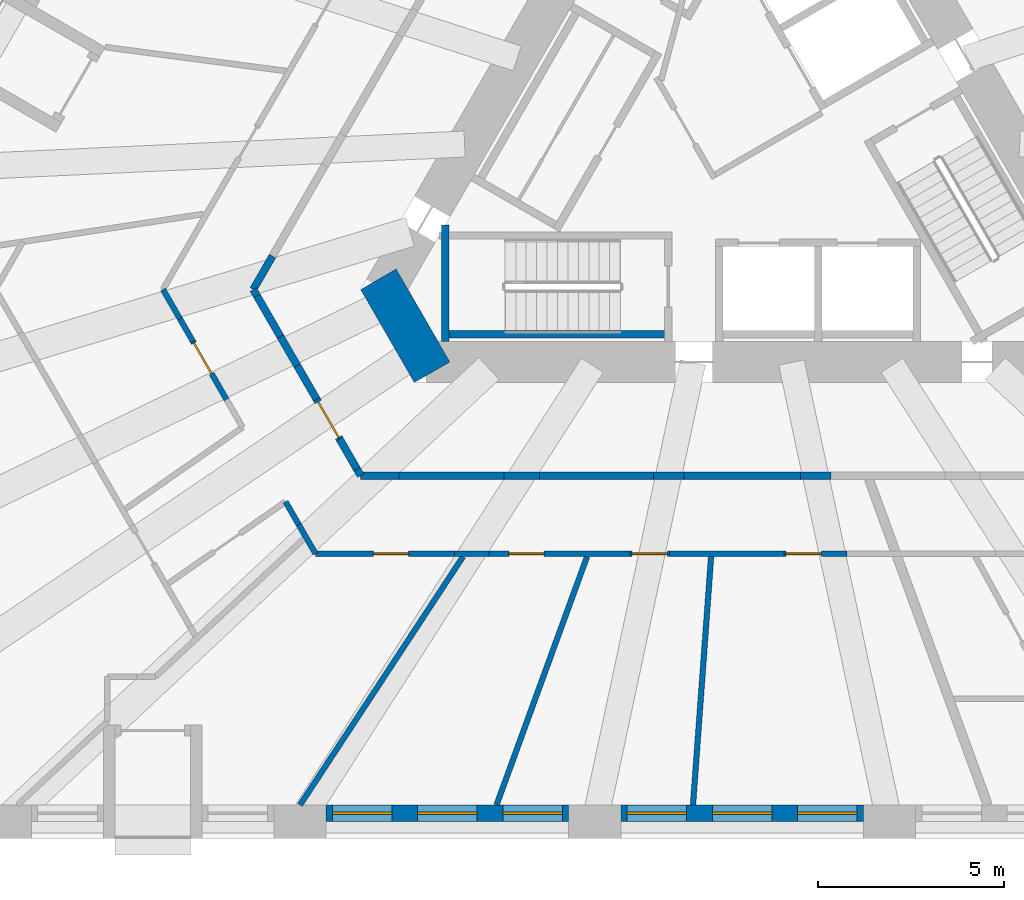
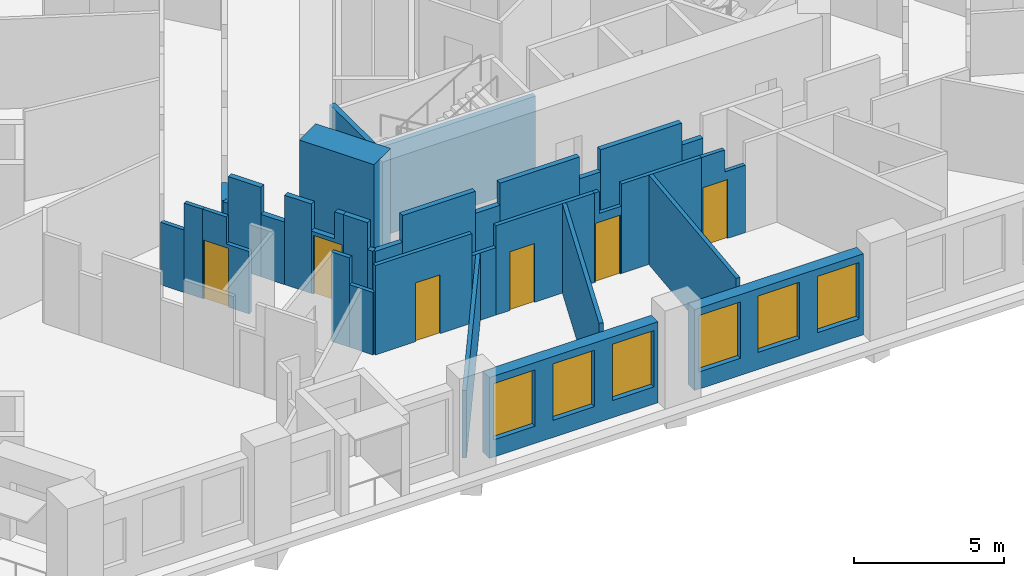
# One storey, part 3 of 14: 34 walls, 6 doors, 6 windows, 12 openings.
"""IFC4 building model written with IfcOpenShell, lengths in metres."""

from ifc_helpers import new_model, si_unit, direction, frame, frame_2d, origin, place, context, subcontext, project, spatial, polyline, rectangle, outline, extrude, material, layer, layer_set, type_object, element, fill, save


model = new_model("IFC4")

# Units and contexts
model_context = context("Model", 3, precision=1e-05, world=origin(), true_north=direction((0.0, 1.0)))
body_context = subcontext(model_context, "Body", "Model", "MODEL_VIEW")
ifc_project = project(units=[si_unit("LENGTHUNIT", "METRE"), si_unit("AREAUNIT", "SQUARE_METRE"), si_unit("VOLUMEUNIT", "CUBIC_METRE"), si_unit("PLANEANGLEUNIT", "RADIAN"), si_unit("MASSUNIT", "GRAM", prefix="KILO")], contexts=[model_context])

# Site, building, storey
site_placement = place(None, origin())
site = spatial("IfcSite", under=ifc_project, at=site_placement, CompositionType="ELEMENT")
building_placement = place(site_placement, origin())
building = spatial("IfcBuilding", under=site, at=building_placement, Name="Tramontana Tower", CompositionType="ELEMENT")
storey_placement = place(building_placement, frame((0.0, 0.0, 42.0)))
storey = spatial("IfcBuildingStorey", under=building, at=storey_placement, Name="L08", CompositionType="ELEMENT", Elevation=42.0)

# Walls
ifc_material_1 = material(Name="Concrete 70 MPa", Category="concrete")
ifc_layer_1 = layer(ifc_material_1, 1.10009765625)
ifc_layer_set_1 = layer_set([ifc_layer_1], Name="Core wall 1100 70 MPa")
wall_type_1 = type_object("IfcWallType", Name="Core wall 1100 70 MPa", PredefinedType="SHEAR", material=ifc_layer_set_1)
wall_1_placement = place(storey_placement, frame((-9.771728515625, -3.97509765625, 0.0), z_axis=(0.0, 0.0, 1.0), x_axis=(0.499995765644, -0.866027848477, 0.0)))
element("IfcWall", 1, at=wall_1_placement, inside=storey, type_object=wall_type_1, Name="Core wall C2 L08", PredefinedType="SHEAR", context=body_context, shape_type="SweptSolid", body=[
    extrude(rectangle(XDim=2.88671875, YDim=1.10009765625, at=frame_2d((1.443359375, 0.0))), origin(), (0.0, 0.0, 1.0), 4.0),
])
ifc_material_2 = material(Name="Blockwork", Category="masonry")
ifc_layer_2 = layer(ifc_material_2, 0.199951171875)
ifc_layer_set_2 = layer_set([ifc_layer_2], Name="ENTRY WALL 200")
wall_type_2 = type_object("IfcWallType", Name="ENTRY WALL 200", PredefinedType="SOLIDWALL", material=ifc_layer_set_2)
wall_2_placement = place(storey_placement, frame((2.383056640625, -9.25, 0.0), z_axis=(0.0, 0.0, 1.0), x_axis=(-1.0, 0.0, 0.0)))
element("IfcWall", 2, at=wall_2_placement, inside=storey, type_object=wall_type_2, Name="Wall v02-ew2-4", PredefinedType="SOLIDWALL", context=body_context, shape_type="SweptSolid", body=[
    extrude(rectangle(XDim=0.81787109375, YDim=0.199951171875, at=frame_2d((0.408935546875, 0.0))), origin(), (0.0, 0.0, 1.0), 2.75),
])
wall_3_placement = place(storey_placement, frame((1.565185546875, -9.25, 0.0), z_axis=(0.0, 0.0, 1.0), x_axis=(-1.0, 0.0, 0.0)))
element("IfcWall", 3, at=wall_3_placement, inside=storey, type_object=wall_type_2, Name="Wall v02-ew2-5", PredefinedType="SOLIDWALL", context=body_context, shape_type="SweptSolid", body=[
    extrude(rectangle(XDim=3.13037109375, YDim=0.199951171875, at=frame_2d((1.565185546875, 0.0))), origin(), (0.0, 0.0, 1.0), 3.64990234375),
])
wall_4_placement = place(storey_placement, frame((-1.565185546875, -9.25, 0.0), z_axis=(0.0, 0.0, 1.0), x_axis=(-1.0, 0.0, 0.0)))
element("IfcWall", 4, at=wall_4_placement, inside=storey, type_object=wall_type_2, Name="Wall v02-ew2-6", PredefinedType="SOLIDWALL", context=body_context, shape_type="SweptSolid", body=[
    extrude(rectangle(XDim=0.81787109375, YDim=0.199951171875, at=frame_2d((0.408935546875, 0.0))), origin(), (0.0, 0.0, 1.0), 2.75),
])
wall_5_placement = place(storey_placement, frame((-2.383056640625, -9.25, 0.0), z_axis=(0.0, 0.0, 1.0), x_axis=(-1.0, 0.0, 0.0)))
element("IfcWall", 5, at=wall_5_placement, inside=storey, type_object=wall_type_2, Name="Wall v02-ew2-7", PredefinedType="SOLIDWALL", context=body_context, shape_type="SweptSolid", body=[
    extrude(rectangle(XDim=3.064453125, YDim=0.199951171875, at=frame_2d((1.5322265625, 0.0))), origin(), (0.0, 0.0, 1.0), 3.64990234375),
])
wall_6_placement = place(storey_placement, frame((-5.447509765625, -9.25, 0.0), z_axis=(0.0, 0.0, 1.0), x_axis=(-1.0, 0.0, 0.0)))
element("IfcWall", 6, at=wall_6_placement, inside=storey, type_object=wall_type_2, Name="Wall v02-ew2-8", PredefinedType="SOLIDWALL", context=body_context, shape_type="SweptSolid", body=[
    extrude(rectangle(XDim=0.949951171875, YDim=0.199951171875, at=frame_2d((0.47509765625, 0.0))), origin(), (0.0, 0.0, 1.0), 2.75),
])
wall_7_placement = place(storey_placement, frame((-6.3974609375, -9.25, 0.0), z_axis=(0.0, 0.0, 1.0), x_axis=(-1.0, 0.0, 0.0)))
element("IfcWall", 7, at=wall_7_placement, inside=storey, type_object=wall_type_2, Name="Wall v02-ew2-9", PredefinedType="SOLIDWALL", context=body_context, shape_type="SweptSolid", body=[
    extrude(rectangle(XDim=2.815185546875, YDim=0.199951171875, at=frame_2d((1.40771484375, 0.0))), origin(), (0.0, 0.0, 1.0), 3.64990234375),
])
wall_8_placement = place(storey_placement, frame((-9.212646484375, -9.25, 0.0), z_axis=(0.0, 0.0, 1.0), x_axis=(-1.0, 0.0, 0.0)))
element("IfcWall", 8, at=wall_8_placement, inside=storey, type_object=wall_type_2, Name="Wall v02-ew2-10", PredefinedType="SOLIDWALL", context=body_context, shape_type="SweptSolid", body=[
    extrude(rectangle(XDim=1.035400390625, YDim=0.199951171875, at=frame_2d((0.517578125, 0.0))), origin(), (0.0, 0.0, 1.0), 2.550048828125),
])
wall_9_placement = place(storey_placement, frame((-10.248046875, -9.25, 0.0), z_axis=(0.0, 0.0, 1.0), x_axis=(-0.499865263774, 0.866103179807, 0.0)))
element("IfcWall", 9, at=wall_9_placement, inside=storey, type_object=wall_type_2, Name="Wall v02-ew3-0", PredefinedType="SOLIDWALL", context=body_context, shape_type="SweptSolid", body=[
    extrude(rectangle(XDim=0.197265625, YDim=0.199951171875, at=frame_2d((0.0986328125, 0.0))), origin(), (0.0, 0.0, 1.0), 2.550048828125),
])
wall_10_placement = place(storey_placement, frame((-10.3466796875, -9.0791015625, 0.0), z_axis=(0.0, 0.0, 1.0), x_axis=(-0.499925626596, 0.866068339032, 0.0)))
element("IfcWall", 10, at=wall_10_placement, inside=storey, type_object=wall_type_2, Name="Wall v02-ew3-1", PredefinedType="SOLIDWALL", context=body_context, shape_type="SweptSolid", body=[
    extrude(rectangle(XDim=0.936279296875, YDim=0.199951171875, at=frame_2d((0.46826171875, 0.0))), origin(), (0.0, 0.0, 1.0), 3.64990234375),
])

# Wall, opening, door
wall_11_placement = place(storey_placement, frame((-11.43115234375, -7.20068359375, 0.0), z_axis=(0.0, 0.0, 1.0), x_axis=(0.500036725936, -0.866004199017, 0.0)))
wall_11 = element("IfcWall", 11, at=wall_11_placement, inside=storey, type_object=wall_type_2, Name="Wall v02-ew3-2", PredefinedType="SOLIDWALL", context=body_context, shape_type="SweptSolid", body=[
    extrude(outline(polyline([(0.0, 0.0), (1.23291015625, 0.0), (1.23291015625, 3.64990234375), (0.90234375, 3.64990234375), (0.90234375, 2.550048828125), (0.0, 2.550048828125), (0.0, 0.0)])), frame((0.0, 0.10009765625, 0.0), z_axis=(0.0, -1.0, 0.0), x_axis=(1.0, 0.0, 0.0)), (0.0, 0.0, 1.0), 0.199951171875),
])
opening_1_placement = place(wall_11_placement, frame((0.082763671875, 0.0, 0.0)))
opening_1 = element("IfcOpeningElement", 12, at=opening_1_placement, cuts=wall_11, Name="Opening B0C-28", PredefinedType="OPENING", context=body_context, shape_type="SweptSolid", body=[
    extrude(rectangle(XDim=1.10009765625, YDim=2.39990234375, at=frame_2d((0.550048828125, 1.199951171875))), frame((0.0, 0.10986328125, 0.0), z_axis=(0.0, -1.0, 0.0), x_axis=(1.0, 0.0, 0.0)), (0.0, 0.0, 1.0), 0.219970703125),
])
ifc_material_3 = material(Name="Painted timber", Category="wood")
door_type_1 = type_object("IfcDoorType", Name="DOOR ENTRY 1100", OperationType="SINGLE_SWING_LEFT", PredefinedType="DOOR", material=ifc_material_3)
door_1_placement = place(opening_1_placement, origin())
door_1 = element("IfcDoor", 13, at=door_1_placement, inside=storey, type_object=door_type_1, Name="Door B0C-28", OperationType="SINGLE_SWING_RIGHT", OverallHeight=2.39990234375, OverallWidth=1.10009765625, PredefinedType="DOOR", context=body_context, shape_type="SweptSolid", body=[
    extrude(rectangle(XDim=1.10009765625, YDim=2.39990234375, at=frame_2d((0.550048828125, 1.199951171875))), frame((0.0, 0.02490234375, 0.0), z_axis=(0.0, -1.0, 0.0), x_axis=(1.0, 0.0, 0.0)), (0.0, 0.0, 1.0), 0.050048828125),
])
fill(opening_1, door_1)

# Walls
wall_12_placement = place(storey_placement, frame((-11.43115234375, -7.20068359375, 0.0), z_axis=(0.0, 0.0, 1.0), x_axis=(-0.499898446243, 0.866084027935, 0.0)))
element("IfcWall", 14, at=wall_12_placement, inside=storey, type_object=wall_type_2, Name="Wall v02-ew3-3", PredefinedType="SOLIDWALL", context=body_context, shape_type="SweptSolid", body=[
    extrude(rectangle(XDim=1.040771484375, YDim=0.199951171875, at=frame_2d((0.5205078125, 0.0))), origin(), (0.0, 0.0, 1.0), 3.64990234375),
])
wall_13_placement = place(storey_placement, frame((-11.951416015625, -6.29931640625, 0.0), z_axis=(0.0, 0.0, 1.0), x_axis=(-0.500097243556, 0.865969252911, 0.0)))
element("IfcWall", 15, at=wall_13_placement, inside=storey, type_object=wall_type_2, Name="Wall v02-ew3-4", PredefinedType="SOLIDWALL", context=body_context, shape_type="SweptSolid", body=[
    extrude(rectangle(XDim=0.902099609375, YDim=0.199951171875, at=frame_2d((0.451171875, 0.0))), origin(), (0.0, 0.0, 1.0), 2.550048828125),
])
wall_14_placement = place(storey_placement, frame((-12.402587890625, -5.51806640625, 0.0), z_axis=(0.0, 0.0, 1.0), x_axis=(-0.500056058743, 0.865993035835, 0.0)))
element("IfcWall", 16, at=wall_14_placement, inside=storey, type_object=wall_type_2, Name="Wall v02-ew3-5", PredefinedType="SOLIDWALL", context=body_context, shape_type="SweptSolid", body=[
    extrude(rectangle(XDim=1.266845703125, YDim=0.199951171875, at=frame_2d((0.63330078125, 0.0))), origin(), (0.0, 0.0, 1.0), 3.64990234375),
])
wall_15_placement = place(storey_placement, frame((-13.0361328125, -4.4208984375, 0.0), z_axis=(0.0, 0.0, 1.0), x_axis=(-0.499865263774, 0.866103179807, 0.0)))
element("IfcWall", 17, at=wall_15_placement, inside=storey, type_object=wall_type_2, Name="Wall v02-ew3-6", PredefinedType="SOLIDWALL", context=body_context, shape_type="SweptSolid", body=[
    extrude(rectangle(XDim=0.197265625, YDim=0.199951171875, at=frame_2d((0.0986328125, 0.0))), origin(), (0.0, 0.0, 1.0), 2.550048828125),
])
wall_16_placement = place(storey_placement, frame((-13.134765625, -4.25, 0.0), z_axis=(0.0, 0.0, 1.0), x_axis=(0.500171514983, 0.865926356915, 0.0)))
element("IfcWall", 18, at=wall_16_placement, inside=storey, type_object=wall_type_2, Name="Wall v02-ew4-0", PredefinedType="SOLIDWALL", context=body_context, shape_type="SweptSolid", body=[
    extrude(rectangle(XDim=1.035400390625, YDim=0.199951171875, at=frame_2d((0.517578125, 0.0))), origin(), (0.0, 0.0, 1.0), 2.550048828125),
])

# Wall, openings, windows
ifc_material_4 = material(Name="Precast concrete 60 MPa", Category="concrete")
ifc_layer_3 = layer(ifc_material_4, 0.449951171875)
ifc_layer_set_3 = layer_set([ifc_layer_3], Name="Precast concrete 60 MPa, 450 mm")
wall_type_3 = type_object("IfcWallType", Name="EW1 Stone-faced precast wall 450", PredefinedType="SOLIDWALL", material=ifc_layer_set_3)
wall_17_placement = place(storey_placement, frame((-11.177001953125, -18.324951171875, 0.0), z_axis=(0.0, 0.0, 1.0), x_axis=(1.0, 0.0, 0.0)))
wall_17 = element("IfcWall", 19, at=wall_17_placement, inside=storey, type_object=wall_type_3, Name="External wall L08 face 1 bay 3", PredefinedType="SOLIDWALL", context=body_context, shape_type="SweptSolid", body=[
    extrude(rectangle(XDim=6.51806640625, YDim=0.449951171875, at=frame_2d((3.259033203125, 0.0))), origin(), (0.0, 0.0, 1.0), 3.300048828125),
])
opening_2_placement = place(wall_17_placement, frame((0.169677734375, 0.0, 0.699951171875)))
opening_2 = element("IfcOpeningElement", 20, at=opening_2_placement, cuts=wall_17, Name="Opening M1", PredefinedType="OPENING", context=body_context, shape_type="SweptSolid", body=[
    extrude(rectangle(XDim=1.60009765625, YDim=2.300048828125, at=frame_2d((0.800048828125, 1.14990234375))), frame((0.0, 0.23486328125, 0.0), z_axis=(0.0, -1.0, 0.0), x_axis=(1.0, 0.0, 0.0)), (0.0, 0.0, 1.0), 0.469970703125),
])
opening_3_placement = place(wall_17_placement, frame((2.458984375, 0.0, 0.699951171875)))
opening_3 = element("IfcOpeningElement", 21, at=opening_3_placement, cuts=wall_17, Name="Opening M1", PredefinedType="OPENING", context=body_context, shape_type="SweptSolid", body=[
    extrude(rectangle(XDim=1.60009765625, YDim=2.300048828125, at=frame_2d((0.800048828125, 1.14990234375))), frame((0.0, 0.23486328125, 0.0), z_axis=(0.0, -1.0, 0.0), x_axis=(1.0, 0.0, 0.0)), (0.0, 0.0, 1.0), 0.469970703125),
])
opening_4_placement = place(wall_17_placement, frame((4.748291015625, 0.0, 0.699951171875)))
opening_4 = element("IfcOpeningElement", 22, at=opening_4_placement, cuts=wall_17, Name="Opening M1", PredefinedType="OPENING", context=body_context, shape_type="SweptSolid", body=[
    extrude(rectangle(XDim=1.60009765625, YDim=2.300048828125, at=frame_2d((0.800048828125, 1.14990234375))), frame((0.0, 0.23486328125, 0.0), z_axis=(0.0, -1.0, 0.0), x_axis=(1.0, 0.0, 0.0)), (0.0, 0.0, 1.0), 0.469970703125),
])
ifc_material_5 = material(Name="Aluminum frame, double glazing unit", Category="aluminium")
window_type = type_object("IfcWindowType", Name="M1 Window 1.6 x 2.3", PartitioningType="SINGLE_PANEL", PredefinedType="WINDOW", material=ifc_material_5)
window_1_placement = place(opening_2_placement, origin())
window_1 = element("IfcWindow", 23, at=window_1_placement, inside=storey, type_object=window_type, Name="Window M1 L08 face 1 module 7", OverallHeight=2.300048828125, OverallWidth=1.60009765625, PartitioningType="SINGLE_PANEL", PredefinedType="WINDOW", context=body_context, shape_type="SweptSolid", body=[
    extrude(rectangle(XDim=1.60009765625, YDim=2.300048828125, at=frame_2d((0.800048828125, 1.14990234375))), frame((0.0, 0.030029296875, 0.0), z_axis=(0.0, -1.0, 0.0), x_axis=(1.0, 0.0, 0.0)), (0.0, 0.0, 1.0), 0.06005859375),
])
fill(opening_2, window_1)
window_2_placement = place(opening_3_placement, origin())
window_2 = element("IfcWindow", 24, at=window_2_placement, inside=storey, type_object=window_type, Name="Window M1 L08 face 1 module 8", OverallHeight=2.300048828125, OverallWidth=1.60009765625, PartitioningType="SINGLE_PANEL", PredefinedType="WINDOW", context=body_context, shape_type="SweptSolid", body=[
    extrude(rectangle(XDim=1.60009765625, YDim=2.300048828125, at=frame_2d((0.800048828125, 1.14990234375))), frame((0.0, 0.030029296875, 0.0), z_axis=(0.0, -1.0, 0.0), x_axis=(1.0, 0.0, 0.0)), (0.0, 0.0, 1.0), 0.06005859375),
])
fill(opening_3, window_2)
window_3_placement = place(opening_4_placement, origin())
window_3 = element("IfcWindow", 25, at=window_3_placement, inside=storey, type_object=window_type, Name="Window M1 L08 face 1 module 9", OverallHeight=2.300048828125, OverallWidth=1.60009765625, PartitioningType="SINGLE_PANEL", PredefinedType="WINDOW", context=body_context, shape_type="SweptSolid", body=[
    extrude(rectangle(XDim=1.60009765625, YDim=2.300048828125, at=frame_2d((0.800048828125, 1.14990234375))), frame((0.0, 0.030029296875, 0.0), z_axis=(0.0, -1.0, 0.0), x_axis=(1.0, 0.0, 0.0)), (0.0, 0.0, 1.0), 0.06005859375),
])
fill(opening_4, window_3)

wall_18_placement = place(storey_placement, frame((-3.259033203125, -18.324951171875, 0.0), z_axis=(0.0, 0.0, 1.0), x_axis=(1.0, 0.0, 0.0)))
wall_18 = element("IfcWall", 26, at=wall_18_placement, inside=storey, type_object=wall_type_3, Name="External wall L08 face 1 bay 4", PredefinedType="SOLIDWALL", context=body_context, shape_type="SweptSolid", body=[
    extrude(rectangle(XDim=6.51806640625, YDim=0.449951171875, at=frame_2d((3.259033203125, 0.0))), origin(), (0.0, 0.0, 1.0), 3.300048828125),
])
opening_5_placement = place(wall_18_placement, frame((0.169677734375, 0.0, 0.699951171875)))
opening_5 = element("IfcOpeningElement", 27, at=opening_5_placement, cuts=wall_18, Name="Opening M1", PredefinedType="OPENING", context=body_context, shape_type="SweptSolid", body=[
    extrude(rectangle(XDim=1.60009765625, YDim=2.300048828125, at=frame_2d((0.800048828125, 1.14990234375))), frame((0.0, 0.23486328125, 0.0), z_axis=(0.0, -1.0, 0.0), x_axis=(1.0, 0.0, 0.0)), (0.0, 0.0, 1.0), 0.469970703125),
])
opening_6_placement = place(wall_18_placement, frame((2.458984375, 0.0, 0.699951171875)))
opening_6 = element("IfcOpeningElement", 28, at=opening_6_placement, cuts=wall_18, Name="Opening M1", PredefinedType="OPENING", context=body_context, shape_type="SweptSolid", body=[
    extrude(rectangle(XDim=1.60009765625, YDim=2.300048828125, at=frame_2d((0.800048828125, 1.14990234375))), frame((0.0, 0.23486328125, 0.0), z_axis=(0.0, -1.0, 0.0), x_axis=(1.0, 0.0, 0.0)), (0.0, 0.0, 1.0), 0.469970703125),
])
opening_7_placement = place(wall_18_placement, frame((4.748291015625, 0.0, 0.699951171875)))
opening_7 = element("IfcOpeningElement", 29, at=opening_7_placement, cuts=wall_18, Name="Opening M1", PredefinedType="OPENING", context=body_context, shape_type="SweptSolid", body=[
    extrude(rectangle(XDim=1.60009765625, YDim=2.300048828125, at=frame_2d((0.800048828125, 1.14990234375))), frame((0.0, 0.23486328125, 0.0), z_axis=(0.0, -1.0, 0.0), x_axis=(1.0, 0.0, 0.0)), (0.0, 0.0, 1.0), 0.469970703125),
])
window_4_placement = place(opening_5_placement, origin())
window_4 = element("IfcWindow", 30, at=window_4_placement, inside=storey, type_object=window_type, Name="Window M1 L08 face 1 module 10", OverallHeight=2.300048828125, OverallWidth=1.60009765625, PartitioningType="SINGLE_PANEL", PredefinedType="WINDOW", context=body_context, shape_type="SweptSolid", body=[
    extrude(rectangle(XDim=1.60009765625, YDim=2.300048828125, at=frame_2d((0.800048828125, 1.14990234375))), frame((0.0, 0.030029296875, 0.0), z_axis=(0.0, -1.0, 0.0), x_axis=(1.0, 0.0, 0.0)), (0.0, 0.0, 1.0), 0.06005859375),
])
fill(opening_5, window_4)
window_5_placement = place(opening_6_placement, origin())
window_5 = element("IfcWindow", 31, at=window_5_placement, inside=storey, type_object=window_type, Name="Window M1 L08 face 1 module 11", OverallHeight=2.300048828125, OverallWidth=1.60009765625, PartitioningType="SINGLE_PANEL", PredefinedType="WINDOW", context=body_context, shape_type="SweptSolid", body=[
    extrude(rectangle(XDim=1.60009765625, YDim=2.300048828125, at=frame_2d((0.800048828125, 1.14990234375))), frame((0.0, 0.030029296875, 0.0), z_axis=(0.0, -1.0, 0.0), x_axis=(1.0, 0.0, 0.0)), (0.0, 0.0, 1.0), 0.06005859375),
])
fill(opening_6, window_5)
window_6_placement = place(opening_7_placement, origin())
window_6 = element("IfcWindow", 32, at=window_6_placement, inside=storey, type_object=window_type, Name="Window M1 L08 face 1 module 12", OverallHeight=2.300048828125, OverallWidth=1.60009765625, PartitioningType="SINGLE_PANEL", PredefinedType="WINDOW", context=body_context, shape_type="SweptSolid", body=[
    extrude(rectangle(XDim=1.60009765625, YDim=2.300048828125, at=frame_2d((0.800048828125, 1.14990234375))), frame((0.0, 0.030029296875, 0.0), z_axis=(0.0, -1.0, 0.0), x_axis=(1.0, 0.0, 0.0)), (0.0, 0.0, 1.0), 0.06005859375),
])
fill(opening_7, window_6)

# Wall, opening, door
ifc_material_6 = material(Name="Gypsum board partition")
ifc_layer_4 = layer(ifc_material_6, 0.14990234375)
ifc_layer_set_4 = layer_set([ifc_layer_4], Name="PARTITION 150")
wall_type_4 = type_object("IfcWallType", Name="PARTITION 150", PredefinedType="PARTITIONING", material=ifc_layer_set_4)
wall_19_placement = place(storey_placement, frame((-13.85205078125, -7.207763671875, 0.0), z_axis=(0.0, 0.0, 1.0), x_axis=(-0.499914057068, 0.866075017274, 0.0)))
wall_19 = element("IfcWall", 33, at=wall_19_placement, inside=storey, type_object=wall_type_4, Name="Wall v02-pw10-1", PredefinedType="PARTITIONING", context=body_context, shape_type="SweptSolid", body=[
    extrude(outline(polyline([(0.0, 0.0), (1.801513671875, 0.0), (1.801513671875, 3.64990234375), (0.877197265625, 3.64990234375), (0.877197265625, 2.550048828125), (0.0, 2.550048828125), (0.0, 0.0)])), frame((0.0, 0.074951171875, 0.0), z_axis=(0.0, -1.0, 0.0), x_axis=(1.0, 0.0, 0.0)), (0.0, 0.0, 1.0), 0.14990234375),
])
opening_8_placement = place(wall_19_placement, frame((0.801513671875, 0.0, 0.0)))
opening_8 = element("IfcOpeningElement", 34, at=opening_8_placement, cuts=wall_19, Name="Opening B0C-09", PredefinedType="OPENING", context=body_context, shape_type="SweptSolid", body=[
    extrude(rectangle(XDim=0.949951171875, YDim=2.39990234375, at=frame_2d((0.47509765625, 1.199951171875))), frame((0.0, 0.0849609375, 0.0), z_axis=(0.0, -1.0, 0.0), x_axis=(1.0, 0.0, 0.0)), (0.0, 0.0, 1.0), 0.169921875),
])
ifc_material_7 = material(Name="Painted timber", Category="wood")
door_type_2 = type_object("IfcDoorType", Name="DOOR ROOM 950", OperationType="SINGLE_SWING_LEFT", PredefinedType="DOOR", material=ifc_material_7)
door_2_placement = place(opening_8_placement, origin())
door_2 = element("IfcDoor", 35, at=door_2_placement, inside=storey, type_object=door_type_2, Name="Door B0C-09", OperationType="SINGLE_SWING_LEFT", OverallHeight=2.39990234375, OverallWidth=0.949951171875, PredefinedType="DOOR", context=body_context, shape_type="SweptSolid", body=[
    extrude(rectangle(XDim=0.949951171875, YDim=2.39990234375, at=frame_2d((0.47509765625, 1.199951171875))), frame((0.0, 0.02490234375, 0.0), z_axis=(0.0, -1.0, 0.0), x_axis=(1.0, 0.0, 0.0)), (0.0, 0.0, 1.0), 0.050048828125),
])
fill(opening_8, door_2)

# Walls
wall_20_placement = place(storey_placement, frame((-14.752685546875, -5.6474609375, 0.0), z_axis=(0.0, 0.0, 1.0), x_axis=(-0.500001430823, 0.866024577697, 0.0)))
element("IfcWall", 36, at=wall_20_placement, inside=storey, type_object=wall_type_4, Name="Wall v02-pw10-2", PredefinedType="PARTITIONING", context=body_context, shape_type="SweptSolid", body=[
    extrude(rectangle(XDim=0.70703125, YDim=0.14990234375, at=frame_2d((0.353515625, 0.0))), origin(), (0.0, 0.0, 1.0), 3.64990234375),
])
wall_21_placement = place(storey_placement, frame((-15.106201171875, -5.03515625, 0.0), z_axis=(0.0, 0.0, 1.0), x_axis=(-0.500048779063, 0.865997239347, 0.0)))
element("IfcWall", 37, at=wall_21_placement, inside=storey, type_object=wall_type_4, Name="Wall v02-pw10-3", PredefinedType="PARTITIONING", context=body_context, shape_type="SweptSolid", body=[
    extrude(rectangle(XDim=0.90673828125, YDim=0.14990234375, at=frame_2d((0.453369140625, 0.0))), origin(), (0.0, 0.0, 1.0), 2.550048828125),
])
wall_22_placement = place(storey_placement, frame((-11.46044921875, -11.35009765625, 0.0), z_axis=(0.0, 0.0, 1.0), x_axis=(-0.499846793097, 0.866113839764, 0.0)))
element("IfcWall", 38, at=wall_22_placement, inside=storey, type_object=wall_type_4, Name="Wall v02-pw14-0", PredefinedType="PARTITIONING", context=body_context, shape_type="SweptSolid", body=[
    extrude(rectangle(XDim=0.906494140625, YDim=0.14990234375, at=frame_2d((0.453125, 0.0))), origin(), (0.0, 0.0, 1.0), 2.550048828125),
])
wall_23_placement = place(storey_placement, frame((-11.91357421875, -10.56494140625, 0.0), z_axis=(0.0, 0.0, 1.0), x_axis=(-0.500081682786, 0.86597823907, 0.0)))
element("IfcWall", 39, at=wall_23_placement, inside=storey, type_object=wall_type_4, Name="Wall v02-pw14-1", PredefinedType="PARTITIONING", context=body_context, shape_type="SweptSolid", body=[
    extrude(rectangle(XDim=0.7060546875, YDim=0.14990234375, at=frame_2d((0.35302734375, 0.0))), origin(), (0.0, 0.0, 1.0), 3.64990234375),
])
wall_24_placement = place(storey_placement, frame((-7.496826171875, -11.425048828125, 0.0), z_axis=(0.0, 0.0, 1.0), x_axis=(-0.54863773843, -0.836060184419, 0.0)))
element("IfcWall", 40, at=wall_24_placement, inside=storey, type_object=wall_type_4, Name="Wall v02-pw16-0", PredefinedType="PARTITIONING", context=body_context, shape_type="SweptSolid", body=[
    extrude(rectangle(XDim=7.983642578125, YDim=0.14990234375, at=frame_2d((3.99169921875, 0.0))), origin(), (0.0, 0.0, 1.0), 2.75),
])
wall_25_placement = place(storey_placement, frame((-4.1650390625, -11.425048828125, 0.0), z_axis=(0.0, 0.0, 1.0), x_axis=(-0.342496180601, -0.939519220811, 0.0)))
element("IfcWall", 41, at=wall_25_placement, inside=storey, type_object=wall_type_4, Name="Wall v02-pw23", PredefinedType="PARTITIONING", context=body_context, shape_type="SweptSolid", body=[
    extrude(rectangle(XDim=7.104736328125, YDim=0.14990234375, at=frame_2d((3.55224609375, 0.0))), origin(), (0.0, 0.0, 1.0), 3.64990234375),
])
wall_26_placement = place(storey_placement, frame((-0.8330078125, -11.425048828125, 0.0), z_axis=(0.0, 0.0, 1.0), x_axis=(-0.072701292679, -0.997353759728, 0.0)))
element("IfcWall", 42, at=wall_26_placement, inside=storey, type_object=wall_type_4, Name="Wall v02-pw27", PredefinedType="PARTITIONING", context=body_context, shape_type="SweptSolid", body=[
    extrude(rectangle(XDim=6.69287109375, YDim=0.14990234375, at=frame_2d((3.346435546875, 0.0))), origin(), (0.0, 0.0, 1.0), 3.64990234375),
])

# Wall, opening, door
wall_27_placement = place(storey_placement, frame((2.818603515625, -11.35009765625, 0.0), z_axis=(0.0, 0.0, 1.0), x_axis=(-1.0, 0.0, 0.0)))
wall_27 = element("IfcWall", 43, at=wall_27_placement, inside=storey, type_object=wall_type_4, Name="Wall v02-pw37-3", PredefinedType="PARTITIONING", context=body_context, shape_type="SweptSolid", body=[
    extrude(outline(polyline([(0.0, 0.0), (1.690185546875, 0.0), (1.68994140625, 3.64990234375), (0.79248046875, 3.64990234375), (0.79248046875, 2.75), (0.0, 2.75), (0.0, 0.0)])), frame((0.0, 0.074951171875, 0.0), z_axis=(0.0, -1.0, 0.0), x_axis=(1.0, 0.0, 0.0)), (0.0, 0.0, 1.0), 0.14990234375),
])
opening_9_placement = place(wall_27_placement, frame((0.68994140625, 0.0, 0.0)))
opening_9 = element("IfcOpeningElement", 44, at=opening_9_placement, cuts=wall_27, Name="Opening B0C-18", PredefinedType="OPENING", context=body_context, shape_type="SweptSolid", body=[
    extrude(rectangle(XDim=0.949951171875, YDim=2.39990234375, at=frame_2d((0.47509765625, 1.199951171875))), frame((0.0, 0.0849609375, 0.0), z_axis=(0.0, -1.0, 0.0), x_axis=(1.0, 0.0, 0.0)), (0.0, 0.0, 1.0), 0.169921875),
])
door_3_placement = place(opening_9_placement, origin())
door_3 = element("IfcDoor", 45, at=door_3_placement, inside=storey, type_object=door_type_2, Name="Door B0C-18", OperationType="SINGLE_SWING_RIGHT", OverallHeight=2.39990234375, OverallWidth=0.949951171875, PredefinedType="DOOR", context=body_context, shape_type="SweptSolid", body=[
    extrude(rectangle(XDim=0.949951171875, YDim=2.39990234375, at=frame_2d((0.47509765625, 1.199951171875))), frame((0.0, 0.02490234375, 0.0), z_axis=(0.0, -1.0, 0.0), x_axis=(1.0, 0.0, 0.0)), (0.0, 0.0, 1.0), 0.050048828125),
])
fill(opening_9, door_3)

# Wall
wall_28_placement = place(storey_placement, frame((1.12841796875, -11.35009765625, 0.0), z_axis=(0.0, 0.0, 1.0), x_axis=(-1.0, 0.0, 0.0)))
element("IfcWall", 46, at=wall_28_placement, inside=storey, type_object=wall_type_4, Name="Wall v02-pw37-4", PredefinedType="PARTITIONING", context=body_context, shape_type="SweptSolid", body=[
    extrude(rectangle(XDim=3.086181640625, YDim=0.14990234375, at=frame_2d((1.54296875, 0.0))), origin(), (0.0, 0.0, 1.0), 3.64990234375),
])

# Wall, opening, door
wall_29_placement = place(storey_placement, frame((-1.957763671875, -11.35009765625, 0.0), z_axis=(0.0, 0.0, 1.0), x_axis=(-1.0, 0.0, 0.0)))
wall_29 = element("IfcWall", 47, at=wall_29_placement, inside=storey, type_object=wall_type_4, Name="Wall v02-pw37-5", PredefinedType="PARTITIONING", context=body_context, shape_type="SweptSolid", body=[
    extrude(outline(polyline([(0.0, 0.0), (1.0498046875, 0.0), (1.050048828125, 3.64990234375), (0.86083984375, 3.64990234375), (0.86083984375, 2.75), (0.0, 2.75), (0.0, 0.0)])), frame((0.0, 0.074951171875, 0.0), z_axis=(0.0, -1.0, 0.0), x_axis=(1.0, 0.0, 0.0)), (0.0, 0.0, 1.0), 0.14990234375),
])
opening_10_placement = place(wall_29_placement, frame((0.050048828125, 0.0, 0.0)))
opening_10 = element("IfcOpeningElement", 48, at=opening_10_placement, cuts=wall_29, Name="Opening B0C-17", PredefinedType="OPENING", context=body_context, shape_type="SweptSolid", body=[
    extrude(rectangle(XDim=0.949951171875, YDim=2.39990234375, at=frame_2d((0.47509765625, 1.199951171875))), frame((0.0, 0.0849609375, 0.0), z_axis=(0.0, -1.0, 0.0), x_axis=(1.0, 0.0, 0.0)), (0.0, 0.0, 1.0), 0.169921875),
])
door_4_placement = place(opening_10_placement, origin())
door_4 = element("IfcDoor", 49, at=door_4_placement, inside=storey, type_object=door_type_2, Name="Door B0C-17", OperationType="SINGLE_SWING_LEFT", OverallHeight=2.39990234375, OverallWidth=0.949951171875, PredefinedType="DOOR", context=body_context, shape_type="SweptSolid", body=[
    extrude(rectangle(XDim=0.949951171875, YDim=2.39990234375, at=frame_2d((0.47509765625, 1.199951171875))), frame((0.0, 0.02490234375, 0.0), z_axis=(0.0, -1.0, 0.0), x_axis=(1.0, 0.0, 0.0)), (0.0, 0.0, 1.0), 0.050048828125),
])
fill(opening_10, door_4)

wall_30_placement = place(storey_placement, frame((-3.007568359375, -11.35009765625, 0.0), z_axis=(0.0, 0.0, 1.0), x_axis=(-1.0, 0.0, 0.0)))
wall_30 = element("IfcWall", 50, at=wall_30_placement, inside=storey, type_object=wall_type_4, Name="Wall v02-pw37-6", PredefinedType="PARTITIONING", context=body_context, shape_type="SweptSolid", body=[
    extrude(rectangle(XDim=3.79931640625, YDim=0.14990234375, at=frame_2d((1.899658203125, 0.0))), origin(), (0.0, 0.0, 1.0), 3.64990234375),
])
opening_11_placement = place(wall_30_placement, frame((2.310302734375, 0.0, 0.0)))
opening_11 = element("IfcOpeningElement", 51, at=opening_11_placement, cuts=wall_30, Name="Opening B0C-16", PredefinedType="OPENING", context=body_context, shape_type="SweptSolid", body=[
    extrude(rectangle(XDim=0.949951171875, YDim=2.39990234375, at=frame_2d((0.47509765625, 1.199951171875))), frame((0.0, 0.0849609375, 0.0), z_axis=(0.0, -1.0, 0.0), x_axis=(1.0, 0.0, 0.0)), (0.0, 0.0, 1.0), 0.169921875),
])
door_5_placement = place(opening_11_placement, origin())
door_5 = element("IfcDoor", 52, at=door_5_placement, inside=storey, type_object=door_type_2, Name="Door B0C-16", OperationType="SINGLE_SWING_RIGHT", OverallHeight=2.39990234375, OverallWidth=0.949951171875, PredefinedType="DOOR", context=body_context, shape_type="SweptSolid", body=[
    extrude(rectangle(XDim=0.949951171875, YDim=2.39990234375, at=frame_2d((0.47509765625, 1.199951171875))), frame((0.0, 0.02490234375, 0.0), z_axis=(0.0, -1.0, 0.0), x_axis=(1.0, 0.0, 0.0)), (0.0, 0.0, 1.0), 0.050048828125),
])
fill(opening_11, door_5)

# Wall
wall_31_placement = place(storey_placement, frame((-6.806884765625, -11.35009765625, 0.0), z_axis=(0.0, 0.0, 1.0), x_axis=(-1.0, 0.0, 0.0)))
element("IfcWall", 53, at=wall_31_placement, inside=storey, type_object=wall_type_4, Name="Wall v02-pw37-7", PredefinedType="PARTITIONING", context=body_context, shape_type="SweptSolid", body=[
    extrude(rectangle(XDim=0.920166015625, YDim=0.14990234375, at=frame_2d((0.4599609375, 0.0))), origin(), (0.0, 0.0, 1.0), 2.75),
])

# Wall, opening, door
wall_32_placement = place(storey_placement, frame((-7.72705078125, -11.35009765625, 0.0), z_axis=(0.0, 0.0, 1.0), x_axis=(-1.0, 0.0, 0.0)))
wall_32 = element("IfcWall", 54, at=wall_32_placement, inside=storey, type_object=wall_type_4, Name="Wall v02-pw37-8", PredefinedType="PARTITIONING", context=body_context, shape_type="SweptSolid", body=[
    extrude(rectangle(XDim=3.7333984375, YDim=0.14990234375, at=frame_2d((1.86669921875, 0.0))), origin(), (0.0, 0.0, 1.0), 3.64990234375),
])
opening_12_placement = place(wall_32_placement, frame((1.23046875, 0.0, 0.0)))
opening_12 = element("IfcOpeningElement", 55, at=opening_12_placement, cuts=wall_32, Name="Opening B0C-15", PredefinedType="OPENING", context=body_context, shape_type="SweptSolid", body=[
    extrude(rectangle(XDim=0.949951171875, YDim=2.39990234375, at=frame_2d((0.47509765625, 1.199951171875))), frame((0.0, 0.0849609375, 0.0), z_axis=(0.0, -1.0, 0.0), x_axis=(1.0, 0.0, 0.0)), (0.0, 0.0, 1.0), 0.169921875),
])
door_6_placement = place(opening_12_placement, origin())
door_6 = element("IfcDoor", 56, at=door_6_placement, inside=storey, type_object=door_type_2, Name="Door B0C-15", OperationType="SINGLE_SWING_LEFT", OverallHeight=2.39990234375, OverallWidth=0.949951171875, PredefinedType="DOOR", context=body_context, shape_type="SweptSolid", body=[
    extrude(rectangle(XDim=0.949951171875, YDim=2.39990234375, at=frame_2d((0.47509765625, 1.199951171875))), frame((0.0, 0.02490234375, 0.0), z_axis=(0.0, -1.0, 0.0), x_axis=(1.0, 0.0, 0.0)), (0.0, 0.0, 1.0), 0.050048828125),
])
fill(opening_12, door_6)

# Walls
ifc_material_8 = material(Name="Concrete 70 MPa", Category="concrete")
ifc_layer_5 = layer(ifc_material_8, 0.199951171875)
ifc_layer_set_5 = layer_set([ifc_layer_5], Name="Concrete 70 MPa, 200 mm")
wall_type_5 = type_object("IfcWallType", Name="RC SHAFT BACK WALL 200", PredefinedType="SOLIDWALL", material=ifc_layer_set_5)
wall_33_placement = place(storey_placement, frame((-8.080078125, -5.449951171875, 0.0), z_axis=(0.0, 0.0, 1.0), x_axis=(1.0, 0.0, 0.0)))
element("IfcWall", 57, at=wall_33_placement, inside=storey, type_object=wall_type_5, Name="Wall st2-back", PredefinedType="SOLIDWALL", context=body_context, shape_type="SweptSolid", body=[
    extrude(rectangle(XDim=6.2001953125, YDim=0.199951171875, at=frame_2d((3.10009765625, 0.0))), origin(), (0.0, 0.0, 1.0), 3.64990234375),
])
ifc_material_9 = material(Name="Concrete 70 MPa", Category="concrete")
ifc_layer_6 = layer(ifc_material_9, 0.199951171875)
ifc_layer_set_6 = layer_set([ifc_layer_6], Name="Concrete 70 MPa, 200 mm")
wall_type_6 = type_object("IfcWallType", Name="RC STAIR AND SHAFT WALL 200", PredefinedType="SOLIDWALL", material=ifc_layer_set_6)
wall_34_placement = place(storey_placement, frame((-7.97998046875, -2.521728515625, 0.0), z_axis=(0.0, 0.0, 1.0), x_axis=(0.0, -1.0, 0.0)))
element("IfcWall", 58, at=wall_34_placement, inside=storey, type_object=wall_type_6, Name="Wall st2-far", PredefinedType="SOLIDWALL", context=body_context, shape_type="SweptSolid", body=[
    extrude(rectangle(XDim=3.128173828125, YDim=0.199951171875, at=frame_2d((1.56396484375, 0.0))), origin(), (0.0, 0.0, 1.0), 3.64990234375),
])

save(model, "model.ifc")
